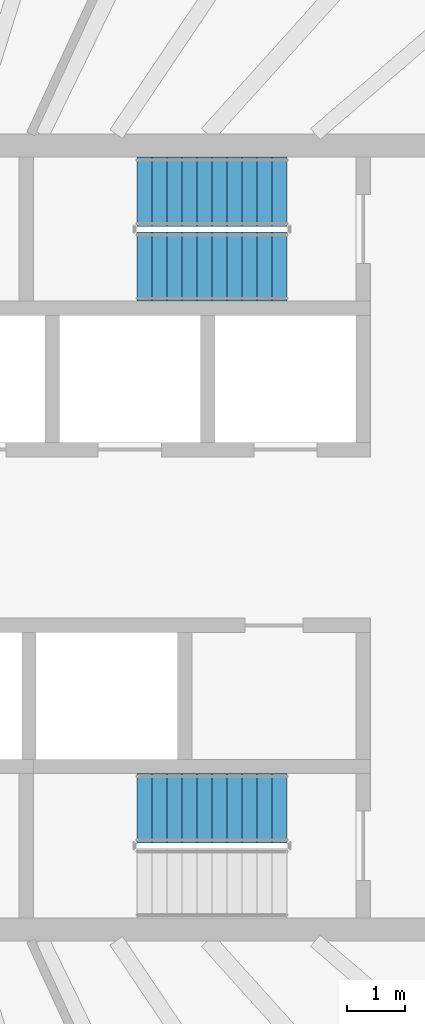
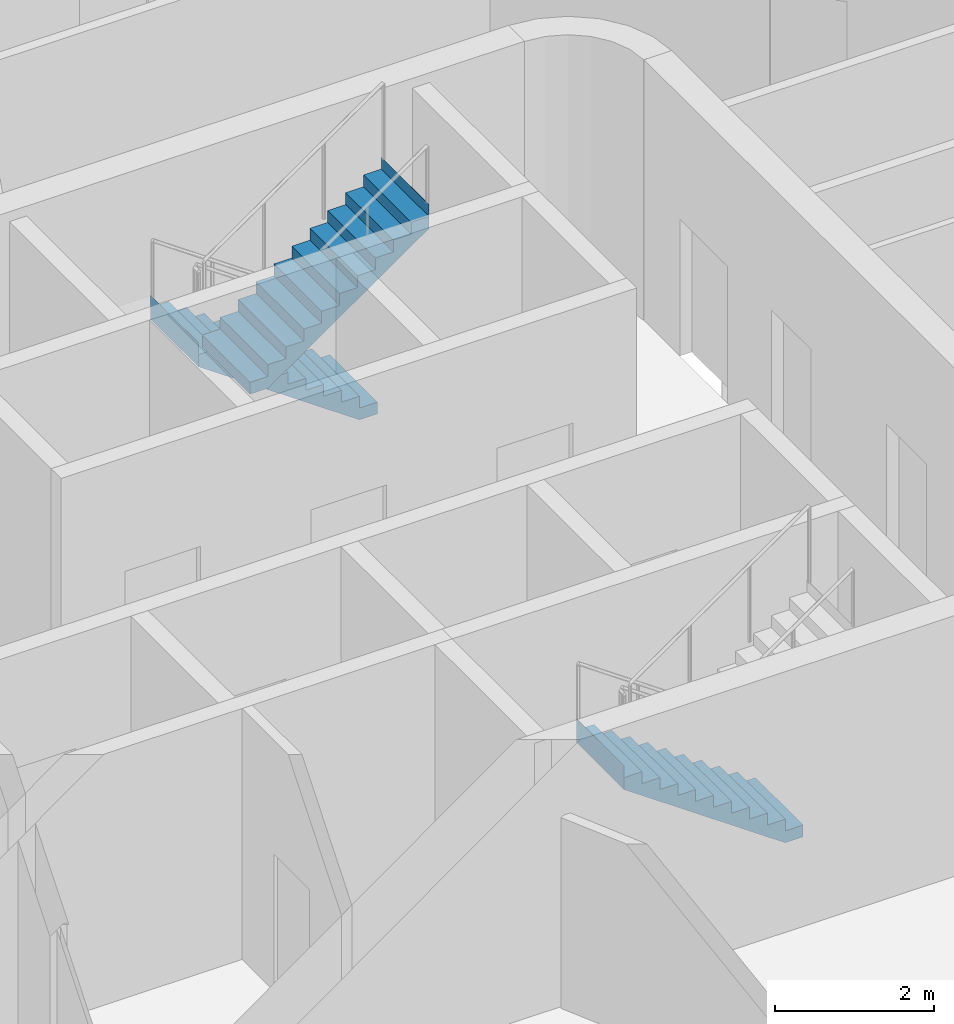
# One storey, part 13 of 18: 3 stair flights, 2 elements without a shape of their own.
"""IFC4 building model written with IfcOpenShell, lengths in metres."""

from ifc_helpers import new_model, si_unit, direction, frame, origin, place, context, subcontext, project, spatial, triangles, material, type_object, element, aggregate, save


model = new_model("IFC4")

# Units and contexts
model_context = context("Model", 3, precision=1e-05, world=origin(), true_north=direction((0.0, 1.0)))
body_context = subcontext(model_context, "Body", "Model", "MODEL_VIEW")
ifc_project = project(units=[si_unit("LENGTHUNIT", "METRE"), si_unit("AREAUNIT", "SQUARE_METRE"), si_unit("VOLUMEUNIT", "CUBIC_METRE"), si_unit("PLANEANGLEUNIT", "RADIAN"), si_unit("MASSUNIT", "GRAM", prefix="KILO")], contexts=[model_context])

# Site, building, storey
site_placement = place(None, origin())
site = spatial("IfcSite", under=ifc_project, at=site_placement, CompositionType="ELEMENT")
building_placement = place(site_placement, origin())
building = spatial("IfcBuilding", under=site, at=building_placement, Name="Sahrelin Media Tower", CompositionType="ELEMENT")
storey_placement = place(building_placement, frame((0.0, 0.0, 320.39990234375)))
storey = spatial("IfcBuildingStorey", under=building, at=storey_placement, Name="L71", CompositionType="ELEMENT", Elevation=320.39990234375)

# Stair, stair flights
ifc_material = material(Name="Concrete C40/50", Category="concrete")
stair_type = type_object("IfcStairType", Name="Exit stair 1200", PredefinedType="HALF_TURN_STAIR", material=ifc_material)
placement = place(storey_placement, origin())
stair_1 = element("IfcStair", 1, at=placement, inside=storey, type_object=stair_type, Name="L71 Exit stair ST3", PredefinedType="HALF_TURN_STAIR")
stair_flight_type = type_object("IfcStairFlightType", Name="Stair flight 1200", PredefinedType="STRAIGHT", material=ifc_material)
stair_flight_1_placement = place(storey_placement, frame((7.675048828125, 6.0, 0.0), z_axis=(0.0, 0.0, 1.0), x_axis=(-1.0, 0.0, 0.0)))
stair_flight_1 = element("IfcStairFlight", 2, at=stair_flight_1_placement, type_object=stair_flight_type, Name="ST3 flight 1", NumberOfRisers=11, NumberOfTreads=10, PredefinedType="STRAIGHT", RiserHeight=0.181818182, TreadLength=0.26, context=body_context, shape_type="Tessellation", body=[
    triangles([(0.261474609375, 0.60009765625, 0.0), (0.261474609375, 0.300048828125, 0.0), (0.261474609375, 0.0, 0.0), (0.261474609375, -0.300048828125, 0.0), (0.261474609375, -0.60009765625, 0.0), (2.60009765625, 0.60009765625, 1.63525390625), (2.60009765625, 0.300048828125, 1.63525390625), (2.60009765625, 0.0, 1.63525390625), (2.60009765625, -0.300048828125, 1.63525390625), (2.60009765625, -0.60009765625, 1.63525390625), (2.60009765625, 0.60009765625, 2.0), (2.60009765625, 0.300048828125, 2.0), (2.60009765625, 0.0, 2.0), (2.60009765625, -0.300048828125, 2.0), (2.60009765625, -0.60009765625, 2.0), (2.597900390625, 0.60009765625, 2.0), (2.597900390625, 0.300048828125, 2.0), (2.597900390625, 0.0, 2.0), (2.597900390625, -0.300048828125, 2.0), (2.597900390625, -0.60009765625, 2.0), (2.597900390625, 0.60009765625, 1.818115234375), (2.597900390625, 0.300048828125, 1.818115234375), (2.597900390625, 0.0, 1.818115234375), (2.597900390625, -0.300048828125, 1.818115234375), (2.597900390625, -0.60009765625, 1.818115234375), (2.340087890625, 0.60009765625, 1.818115234375), (2.340087890625, 0.300048828125, 1.818115234375), (2.340087890625, 0.0, 1.818115234375), (2.340087890625, -0.300048828125, 1.818115234375), (2.340087890625, -0.60009765625, 1.818115234375), (2.340087890625, 0.60009765625, 1.636474609375), (2.340087890625, 0.300048828125, 1.636474609375), (2.340087890625, 0.0, 1.636474609375), (2.340087890625, -0.300048828125, 1.636474609375), (2.340087890625, -0.60009765625, 1.636474609375), (2.080078125, 0.60009765625, 1.636474609375), (2.080078125, 0.300048828125, 1.636474609375), (2.080078125, 0.0, 1.636474609375), (2.080078125, -0.300048828125, 1.636474609375), (2.080078125, -0.60009765625, 1.636474609375), (2.080078125, 0.60009765625, 1.45458984375), (2.080078125, 0.300048828125, 1.45458984375), (2.080078125, 0.0, 1.45458984375), (2.080078125, -0.300048828125, 1.45458984375), (2.080078125, -0.60009765625, 1.45458984375), (1.820068359375, 0.60009765625, 1.45458984375), (1.820068359375, 0.300048828125, 1.45458984375), (1.820068359375, 0.0, 1.45458984375), (1.820068359375, -0.300048828125, 1.45458984375), (1.820068359375, -0.60009765625, 1.45458984375), (1.820068359375, 0.60009765625, 1.272705078125), (1.820068359375, 0.300048828125, 1.272705078125), (1.820068359375, 0.0, 1.272705078125), (1.820068359375, -0.300048828125, 1.272705078125), (1.820068359375, -0.60009765625, 1.272705078125), (1.56005859375, 0.60009765625, 1.272705078125), (1.56005859375, 0.300048828125, 1.272705078125), (1.56005859375, 0.0, 1.272705078125), (1.56005859375, -0.300048828125, 1.272705078125), (1.56005859375, -0.60009765625, 1.272705078125), (1.56005859375, 0.60009765625, 1.0908203125), (1.56005859375, 0.300048828125, 1.0908203125), (1.56005859375, 0.0, 1.0908203125), (1.56005859375, -0.300048828125, 1.0908203125), (1.56005859375, -0.60009765625, 1.0908203125), (1.300048828125, 0.60009765625, 1.0908203125), (1.300048828125, 0.300048828125, 1.0908203125), (1.300048828125, 0.0, 1.0908203125), (1.300048828125, -0.300048828125, 1.0908203125), (1.300048828125, -0.60009765625, 1.0908203125), (1.300048828125, 0.60009765625, 0.9091796875), (1.300048828125, 0.300048828125, 0.9091796875), (1.300048828125, 0.0, 0.9091796875), (1.300048828125, -0.300048828125, 0.9091796875), (1.300048828125, -0.60009765625, 0.9091796875), (1.0400390625, 0.60009765625, 0.9091796875), (1.0400390625, 0.300048828125, 0.9091796875), (1.0400390625, 0.0, 0.9091796875), (1.0400390625, -0.300048828125, 0.9091796875), (1.0400390625, -0.60009765625, 0.9091796875), (1.0400390625, 0.60009765625, 0.727294921875), (1.0400390625, 0.300048828125, 0.727294921875), (1.0400390625, 0.0, 0.727294921875), (1.0400390625, -0.300048828125, 0.727294921875), (1.0400390625, -0.60009765625, 0.727294921875), (0.780029296875, 0.60009765625, 0.727294921875), (0.780029296875, 0.300048828125, 0.727294921875), (0.780029296875, 0.0, 0.727294921875), (0.780029296875, -0.300048828125, 0.727294921875), (0.780029296875, -0.60009765625, 0.727294921875), (0.780029296875, 0.60009765625, 0.54541015625), (0.780029296875, 0.300048828125, 0.54541015625), (0.780029296875, 0.0, 0.54541015625), (0.780029296875, -0.300048828125, 0.54541015625), (0.780029296875, -0.60009765625, 0.54541015625), (0.52001953125, 0.60009765625, 0.54541015625), (0.52001953125, 0.300048828125, 0.54541015625), (0.52001953125, 0.0, 0.54541015625), (0.52001953125, -0.300048828125, 0.54541015625), (0.52001953125, -0.60009765625, 0.54541015625), (0.52001953125, 0.60009765625, 0.363525390625), (0.52001953125, 0.300048828125, 0.363525390625), (0.52001953125, 0.0, 0.363525390625), (0.52001953125, -0.300048828125, 0.363525390625), (0.52001953125, -0.60009765625, 0.363525390625), (0.260009765625, 0.60009765625, 0.363525390625), (0.260009765625, 0.300048828125, 0.363525390625), (0.260009765625, 0.0, 0.363525390625), (0.260009765625, -0.300048828125, 0.363525390625), (0.260009765625, -0.60009765625, 0.363525390625), (0.260009765625, 0.60009765625, 0.181884765625), (0.260009765625, 0.300048828125, 0.181884765625), (0.260009765625, 0.0, 0.181884765625), (0.260009765625, -0.300048828125, 0.181884765625), (0.260009765625, -0.60009765625, 0.181884765625), (0.0, 0.60009765625, 0.181884765625), (0.0, 0.300048828125, 0.181884765625), (0.0, 0.0, 0.181884765625), (0.0, -0.300048828125, 0.181884765625), (0.0, -0.60009765625, 0.181884765625), (0.0, 0.60009765625, 0.0), (0.0, 0.300048828125, 0.0), (0.0, 0.0, 0.0), (0.0, -0.300048828125, 0.0), (0.0, -0.60009765625, 0.0)], [[1, 6, 7], [1, 7, 2], [2, 7, 8], [2, 8, 3], [3, 8, 9], [3, 9, 4], [4, 9, 10], [4, 10, 5], [6, 11, 12], [6, 12, 7], [7, 12, 13], [7, 13, 8], [8, 13, 14], [8, 14, 9], [9, 14, 15], [9, 15, 10], [11, 16, 17], [11, 17, 12], [12, 17, 18], [12, 18, 13], [13, 18, 19], [13, 19, 14], [14, 19, 20], [14, 20, 15], [16, 21, 22], [16, 22, 17], [17, 22, 23], [17, 23, 18], [18, 23, 24], [18, 24, 19], [19, 24, 25], [19, 25, 20], [21, 26, 27], [21, 27, 22], [22, 27, 28], [22, 28, 23], [23, 28, 29], [23, 29, 24], [24, 29, 30], [24, 30, 25], [26, 31, 32], [26, 32, 27], [27, 32, 33], [27, 33, 28], [28, 33, 34], [28, 34, 29], [29, 34, 35], [29, 35, 30], [31, 36, 37], [31, 37, 32], [32, 37, 38], [32, 38, 33], [33, 38, 39], [33, 39, 34], [34, 39, 40], [34, 40, 35], [36, 41, 42], [36, 42, 37], [37, 42, 43], [37, 43, 38], [38, 43, 44], [38, 44, 39], [39, 44, 45], [39, 45, 40], [41, 46, 47], [41, 47, 42], [42, 47, 48], [42, 48, 43], [43, 48, 49], [43, 49, 44], [44, 49, 50], [44, 50, 45], [46, 51, 52], [46, 52, 47], [47, 52, 53], [47, 53, 48], [48, 53, 54], [48, 54, 49], [49, 54, 55], [49, 55, 50], [51, 56, 57], [51, 57, 52], [52, 57, 58], [52, 58, 53], [53, 58, 59], [53, 59, 54], [54, 59, 60], [54, 60, 55], [56, 61, 62], [56, 62, 57], [57, 62, 63], [57, 63, 58], [58, 63, 64], [58, 64, 59], [59, 64, 65], [59, 65, 60], [61, 66, 67], [61, 67, 62], [62, 67, 68], [62, 68, 63], [63, 68, 69], [63, 69, 64], [64, 69, 70], [64, 70, 65], [66, 71, 72], [66, 72, 67], [67, 72, 73], [67, 73, 68], [68, 73, 74], [68, 74, 69], [69, 74, 75], [69, 75, 70], [71, 76, 77], [71, 77, 72], [72, 77, 78], [72, 78, 73], [73, 78, 79], [73, 79, 74], [74, 79, 80], [74, 80, 75], [76, 81, 82], [76, 82, 77], [77, 82, 83], [77, 83, 78], [78, 83, 84], [78, 84, 79], [79, 84, 85], [79, 85, 80], [81, 86, 87], [81, 87, 82], [82, 87, 88], [82, 88, 83], [83, 88, 89], [83, 89, 84], [84, 89, 90], [84, 90, 85], [86, 91, 92], [86, 92, 87], [87, 92, 93], [87, 93, 88], [88, 93, 94], [88, 94, 89], [89, 94, 95], [89, 95, 90], [91, 96, 97], [91, 97, 92], [92, 97, 98], [92, 98, 93], [93, 98, 99], [93, 99, 94], [94, 99, 100], [94, 100, 95], [96, 101, 102], [96, 102, 97], [97, 102, 103], [97, 103, 98], [98, 103, 104], [98, 104, 99], [99, 104, 105], [99, 105, 100], [101, 106, 107], [101, 107, 102], [102, 107, 108], [102, 108, 103], [103, 108, 109], [103, 109, 104], [104, 109, 110], [104, 110, 105], [106, 111, 112], [106, 112, 107], [107, 112, 113], [107, 113, 108], [108, 113, 114], [108, 114, 109], [109, 114, 115], [109, 115, 110], [111, 116, 117], [111, 117, 112], [112, 117, 118], [112, 118, 113], [113, 118, 119], [113, 119, 114], [114, 119, 120], [114, 120, 115], [116, 121, 122], [116, 122, 117], [117, 122, 123], [117, 123, 118], [118, 123, 124], [118, 124, 119], [119, 124, 125], [119, 125, 120], [121, 1, 2], [121, 2, 122], [122, 2, 3], [122, 3, 123], [123, 3, 4], [123, 4, 124], [124, 4, 5], [124, 5, 125], [115, 120, 125], [111, 121, 116], [115, 105, 110], [111, 106, 101], [105, 95, 100], [101, 96, 91], [95, 85, 90], [91, 86, 81], [85, 75, 80], [81, 76, 71], [75, 65, 70], [71, 66, 61], [65, 55, 60], [61, 56, 51], [55, 45, 50], [51, 46, 41], [45, 35, 40], [41, 36, 31], [35, 25, 30], [31, 26, 21], [25, 15, 20], [21, 16, 11], [125, 5, 115], [121, 111, 1], [25, 10, 15], [21, 11, 6], [105, 115, 5], [101, 1, 111], [35, 10, 25], [31, 21, 6], [95, 105, 5], [91, 1, 101], [45, 10, 35], [41, 31, 6], [85, 95, 5], [81, 1, 91], [55, 10, 45], [51, 41, 6], [75, 85, 5], [71, 1, 81], [65, 10, 55], [61, 51, 6], [5, 10, 75], [1, 71, 6], [75, 10, 65], [71, 61, 6]], closed=True),
])
stair_flight_2_placement = place(storey_placement, frame((5.074951171875, 4.699951171875, 2.0), z_axis=(0.0, 0.0, 1.0), x_axis=(1.0, 0.0, 0.0)))
stair_flight_2 = element("IfcStairFlight", 3, at=stair_flight_2_placement, type_object=stair_flight_type, Name="ST3 flight 2", NumberOfRisers=11, NumberOfTreads=10, PredefinedType="STRAIGHT", RiserHeight=0.181818182, TreadLength=0.26, context=body_context, shape_type="Tessellation", body=[
    triangles([(0.261474609375, 0.60009765625, 0.0), (0.261474609375, 0.300048828125, 0.0), (0.261474609375, 0.0, 0.0), (0.261474609375, -0.300048828125, 0.0), (0.261474609375, -0.60009765625, 0.0), (2.60009765625, 0.60009765625, 1.63525390625), (2.60009765625, 0.300048828125, 1.63525390625), (2.60009765625, 0.0, 1.63525390625), (2.60009765625, -0.300048828125, 1.63525390625), (2.60009765625, -0.60009765625, 1.63525390625), (2.60009765625, 0.60009765625, 2.0), (2.60009765625, 0.300048828125, 2.0), (2.60009765625, 0.0, 2.0), (2.60009765625, -0.300048828125, 2.0), (2.60009765625, -0.60009765625, 2.0), (2.597900390625, 0.60009765625, 2.0), (2.597900390625, 0.300048828125, 2.0), (2.597900390625, 0.0, 2.0), (2.597900390625, -0.300048828125, 2.0), (2.597900390625, -0.60009765625, 2.0), (2.597900390625, 0.60009765625, 1.818115234375), (2.597900390625, 0.300048828125, 1.818115234375), (2.597900390625, 0.0, 1.818115234375), (2.597900390625, -0.300048828125, 1.818115234375), (2.597900390625, -0.60009765625, 1.818115234375), (2.340087890625, 0.60009765625, 1.818115234375), (2.340087890625, 0.300048828125, 1.818115234375), (2.340087890625, 0.0, 1.818115234375), (2.340087890625, -0.300048828125, 1.818115234375), (2.340087890625, -0.60009765625, 1.818115234375), (2.340087890625, 0.60009765625, 1.636474609375), (2.340087890625, 0.300048828125, 1.636474609375), (2.340087890625, 0.0, 1.636474609375), (2.340087890625, -0.300048828125, 1.636474609375), (2.340087890625, -0.60009765625, 1.636474609375), (2.080078125, 0.60009765625, 1.636474609375), (2.080078125, 0.300048828125, 1.636474609375), (2.080078125, 0.0, 1.636474609375), (2.080078125, -0.300048828125, 1.636474609375), (2.080078125, -0.60009765625, 1.636474609375), (2.080078125, 0.60009765625, 1.45458984375), (2.080078125, 0.300048828125, 1.45458984375), (2.080078125, 0.0, 1.45458984375), (2.080078125, -0.300048828125, 1.45458984375), (2.080078125, -0.60009765625, 1.45458984375), (1.820068359375, 0.60009765625, 1.45458984375), (1.820068359375, 0.300048828125, 1.45458984375), (1.820068359375, 0.0, 1.45458984375), (1.820068359375, -0.300048828125, 1.45458984375), (1.820068359375, -0.60009765625, 1.45458984375), (1.820068359375, 0.60009765625, 1.272705078125), (1.820068359375, 0.300048828125, 1.272705078125), (1.820068359375, 0.0, 1.272705078125), (1.820068359375, -0.300048828125, 1.272705078125), (1.820068359375, -0.60009765625, 1.272705078125), (1.56005859375, 0.60009765625, 1.272705078125), (1.56005859375, 0.300048828125, 1.272705078125), (1.56005859375, 0.0, 1.272705078125), (1.56005859375, -0.300048828125, 1.272705078125), (1.56005859375, -0.60009765625, 1.272705078125), (1.56005859375, 0.60009765625, 1.0908203125), (1.56005859375, 0.300048828125, 1.0908203125), (1.56005859375, 0.0, 1.0908203125), (1.56005859375, -0.300048828125, 1.0908203125), (1.56005859375, -0.60009765625, 1.0908203125), (1.300048828125, 0.60009765625, 1.0908203125), (1.300048828125, 0.300048828125, 1.0908203125), (1.300048828125, 0.0, 1.0908203125), (1.300048828125, -0.300048828125, 1.0908203125), (1.300048828125, -0.60009765625, 1.0908203125), (1.300048828125, 0.60009765625, 0.9091796875), (1.300048828125, 0.300048828125, 0.9091796875), (1.300048828125, 0.0, 0.9091796875), (1.300048828125, -0.300048828125, 0.9091796875), (1.300048828125, -0.60009765625, 0.9091796875), (1.0400390625, 0.60009765625, 0.9091796875), (1.0400390625, 0.300048828125, 0.9091796875), (1.0400390625, 0.0, 0.9091796875), (1.0400390625, -0.300048828125, 0.9091796875), (1.0400390625, -0.60009765625, 0.9091796875), (1.0400390625, 0.60009765625, 0.727294921875), (1.0400390625, 0.300048828125, 0.727294921875), (1.0400390625, 0.0, 0.727294921875), (1.0400390625, -0.300048828125, 0.727294921875), (1.0400390625, -0.60009765625, 0.727294921875), (0.780029296875, 0.60009765625, 0.727294921875), (0.780029296875, 0.300048828125, 0.727294921875), (0.780029296875, 0.0, 0.727294921875), (0.780029296875, -0.300048828125, 0.727294921875), (0.780029296875, -0.60009765625, 0.727294921875), (0.780029296875, 0.60009765625, 0.54541015625), (0.780029296875, 0.300048828125, 0.54541015625), (0.780029296875, 0.0, 0.54541015625), (0.780029296875, -0.300048828125, 0.54541015625), (0.780029296875, -0.60009765625, 0.54541015625), (0.52001953125, 0.60009765625, 0.54541015625), (0.52001953125, 0.300048828125, 0.54541015625), (0.52001953125, 0.0, 0.54541015625), (0.52001953125, -0.300048828125, 0.54541015625), (0.52001953125, -0.60009765625, 0.54541015625), (0.52001953125, 0.60009765625, 0.363525390625), (0.52001953125, 0.300048828125, 0.363525390625), (0.52001953125, 0.0, 0.363525390625), (0.52001953125, -0.300048828125, 0.363525390625), (0.52001953125, -0.60009765625, 0.363525390625), (0.260009765625, 0.60009765625, 0.363525390625), (0.260009765625, 0.300048828125, 0.363525390625), (0.260009765625, 0.0, 0.363525390625), (0.260009765625, -0.300048828125, 0.363525390625), (0.260009765625, -0.60009765625, 0.363525390625), (0.260009765625, 0.60009765625, 0.181884765625), (0.260009765625, 0.300048828125, 0.181884765625), (0.260009765625, 0.0, 0.181884765625), (0.260009765625, -0.300048828125, 0.181884765625), (0.260009765625, -0.60009765625, 0.181884765625), (0.0, 0.60009765625, 0.181884765625), (0.0, 0.300048828125, 0.181884765625), (0.0, 0.0, 0.181884765625), (0.0, -0.300048828125, 0.181884765625), (0.0, -0.60009765625, 0.181884765625), (0.0, 0.60009765625, 0.0), (0.0, 0.300048828125, 0.0), (0.0, 0.0, 0.0), (0.0, -0.300048828125, 0.0), (0.0, -0.60009765625, 0.0)], [[1, 6, 7], [1, 7, 2], [2, 7, 8], [2, 8, 3], [3, 8, 9], [3, 9, 4], [4, 9, 10], [4, 10, 5], [6, 11, 12], [6, 12, 7], [7, 12, 13], [7, 13, 8], [8, 13, 14], [8, 14, 9], [9, 14, 15], [9, 15, 10], [11, 16, 17], [11, 17, 12], [12, 17, 18], [12, 18, 13], [13, 18, 19], [13, 19, 14], [14, 19, 20], [14, 20, 15], [16, 21, 22], [16, 22, 17], [17, 22, 23], [17, 23, 18], [18, 23, 24], [18, 24, 19], [19, 24, 25], [19, 25, 20], [21, 26, 27], [21, 27, 22], [22, 27, 28], [22, 28, 23], [23, 28, 29], [23, 29, 24], [24, 29, 30], [24, 30, 25], [26, 31, 32], [26, 32, 27], [27, 32, 33], [27, 33, 28], [28, 33, 34], [28, 34, 29], [29, 34, 35], [29, 35, 30], [31, 36, 37], [31, 37, 32], [32, 37, 38], [32, 38, 33], [33, 38, 39], [33, 39, 34], [34, 39, 40], [34, 40, 35], [36, 41, 42], [36, 42, 37], [37, 42, 43], [37, 43, 38], [38, 43, 44], [38, 44, 39], [39, 44, 45], [39, 45, 40], [41, 46, 47], [41, 47, 42], [42, 47, 48], [42, 48, 43], [43, 48, 49], [43, 49, 44], [44, 49, 50], [44, 50, 45], [46, 51, 52], [46, 52, 47], [47, 52, 53], [47, 53, 48], [48, 53, 54], [48, 54, 49], [49, 54, 55], [49, 55, 50], [51, 56, 57], [51, 57, 52], [52, 57, 58], [52, 58, 53], [53, 58, 59], [53, 59, 54], [54, 59, 60], [54, 60, 55], [56, 61, 62], [56, 62, 57], [57, 62, 63], [57, 63, 58], [58, 63, 64], [58, 64, 59], [59, 64, 65], [59, 65, 60], [61, 66, 67], [61, 67, 62], [62, 67, 68], [62, 68, 63], [63, 68, 69], [63, 69, 64], [64, 69, 70], [64, 70, 65], [66, 71, 72], [66, 72, 67], [67, 72, 73], [67, 73, 68], [68, 73, 74], [68, 74, 69], [69, 74, 75], [69, 75, 70], [71, 76, 77], [71, 77, 72], [72, 77, 78], [72, 78, 73], [73, 78, 79], [73, 79, 74], [74, 79, 80], [74, 80, 75], [76, 81, 82], [76, 82, 77], [77, 82, 83], [77, 83, 78], [78, 83, 84], [78, 84, 79], [79, 84, 85], [79, 85, 80], [81, 86, 87], [81, 87, 82], [82, 87, 88], [82, 88, 83], [83, 88, 89], [83, 89, 84], [84, 89, 90], [84, 90, 85], [86, 91, 92], [86, 92, 87], [87, 92, 93], [87, 93, 88], [88, 93, 94], [88, 94, 89], [89, 94, 95], [89, 95, 90], [91, 96, 97], [91, 97, 92], [92, 97, 98], [92, 98, 93], [93, 98, 99], [93, 99, 94], [94, 99, 100], [94, 100, 95], [96, 101, 102], [96, 102, 97], [97, 102, 103], [97, 103, 98], [98, 103, 104], [98, 104, 99], [99, 104, 105], [99, 105, 100], [101, 106, 107], [101, 107, 102], [102, 107, 108], [102, 108, 103], [103, 108, 109], [103, 109, 104], [104, 109, 110], [104, 110, 105], [106, 111, 112], [106, 112, 107], [107, 112, 113], [107, 113, 108], [108, 113, 114], [108, 114, 109], [109, 114, 115], [109, 115, 110], [111, 116, 117], [111, 117, 112], [112, 117, 118], [112, 118, 113], [113, 118, 119], [113, 119, 114], [114, 119, 120], [114, 120, 115], [116, 121, 122], [116, 122, 117], [117, 122, 123], [117, 123, 118], [118, 123, 124], [118, 124, 119], [119, 124, 125], [119, 125, 120], [121, 1, 2], [121, 2, 122], [122, 2, 3], [122, 3, 123], [123, 3, 4], [123, 4, 124], [124, 4, 5], [124, 5, 125], [115, 120, 125], [111, 121, 116], [115, 105, 110], [111, 106, 101], [105, 95, 100], [101, 96, 91], [95, 85, 90], [91, 86, 81], [85, 75, 80], [81, 76, 71], [75, 65, 70], [71, 66, 61], [65, 55, 60], [61, 56, 51], [55, 45, 50], [51, 46, 41], [45, 35, 40], [41, 36, 31], [35, 25, 30], [31, 26, 21], [25, 15, 20], [21, 16, 11], [125, 5, 115], [121, 111, 1], [25, 10, 15], [21, 11, 6], [105, 115, 5], [101, 1, 111], [35, 10, 25], [31, 21, 6], [95, 105, 5], [91, 1, 101], [45, 10, 35], [41, 31, 6], [85, 95, 5], [81, 1, 91], [55, 10, 45], [51, 41, 6], [75, 85, 5], [71, 1, 81], [65, 10, 55], [61, 51, 6], [5, 10, 75], [1, 71, 6], [75, 10, 65], [71, 61, 6]], closed=True),
])
aggregate(stair_1, [stair_flight_1, stair_flight_2])

# Stair, stair flight
stair_2 = element("IfcStair", 4, at=placement, inside=storey, type_object=stair_type, Name="L71 Exit stair ST2", PredefinedType="HALF_TURN_STAIR")
stair_flight_3_placement = place(storey_placement, frame((7.675048828125, -4.699951171875, 0.0), z_axis=(0.0, 0.0, 1.0), x_axis=(-1.0, 0.0, 0.0)))
stair_flight_3 = element("IfcStairFlight", 5, at=stair_flight_3_placement, type_object=stair_flight_type, Name="ST2 flight 1", NumberOfRisers=11, NumberOfTreads=10, PredefinedType="STRAIGHT", RiserHeight=0.181818182, TreadLength=0.26, context=body_context, shape_type="Tessellation", body=[
    triangles([(0.261474609375, 0.60009765625, 0.0), (0.261474609375, 0.300048828125, 0.0), (0.261474609375, 0.0, 0.0), (0.261474609375, -0.300048828125, 0.0), (0.261474609375, -0.60009765625, 0.0), (2.60009765625, 0.60009765625, 1.63525390625), (2.60009765625, 0.300048828125, 1.63525390625), (2.60009765625, 0.0, 1.63525390625), (2.60009765625, -0.300048828125, 1.63525390625), (2.60009765625, -0.60009765625, 1.63525390625), (2.60009765625, 0.60009765625, 2.0), (2.60009765625, 0.300048828125, 2.0), (2.60009765625, 0.0, 2.0), (2.60009765625, -0.300048828125, 2.0), (2.60009765625, -0.60009765625, 2.0), (2.597900390625, 0.60009765625, 2.0), (2.597900390625, 0.300048828125, 2.0), (2.597900390625, 0.0, 2.0), (2.597900390625, -0.300048828125, 2.0), (2.597900390625, -0.60009765625, 2.0), (2.597900390625, 0.60009765625, 1.818115234375), (2.597900390625, 0.300048828125, 1.818115234375), (2.597900390625, 0.0, 1.818115234375), (2.597900390625, -0.300048828125, 1.818115234375), (2.597900390625, -0.60009765625, 1.818115234375), (2.340087890625, 0.60009765625, 1.818115234375), (2.340087890625, 0.300048828125, 1.818115234375), (2.340087890625, 0.0, 1.818115234375), (2.340087890625, -0.300048828125, 1.818115234375), (2.340087890625, -0.60009765625, 1.818115234375), (2.340087890625, 0.60009765625, 1.636474609375), (2.340087890625, 0.300048828125, 1.636474609375), (2.340087890625, 0.0, 1.636474609375), (2.340087890625, -0.300048828125, 1.636474609375), (2.340087890625, -0.60009765625, 1.636474609375), (2.080078125, 0.60009765625, 1.636474609375), (2.080078125, 0.300048828125, 1.636474609375), (2.080078125, 0.0, 1.636474609375), (2.080078125, -0.300048828125, 1.636474609375), (2.080078125, -0.60009765625, 1.636474609375), (2.080078125, 0.60009765625, 1.45458984375), (2.080078125, 0.300048828125, 1.45458984375), (2.080078125, 0.0, 1.45458984375), (2.080078125, -0.300048828125, 1.45458984375), (2.080078125, -0.60009765625, 1.45458984375), (1.820068359375, 0.60009765625, 1.45458984375), (1.820068359375, 0.300048828125, 1.45458984375), (1.820068359375, 0.0, 1.45458984375), (1.820068359375, -0.300048828125, 1.45458984375), (1.820068359375, -0.60009765625, 1.45458984375), (1.820068359375, 0.60009765625, 1.272705078125), (1.820068359375, 0.300048828125, 1.272705078125), (1.820068359375, 0.0, 1.272705078125), (1.820068359375, -0.300048828125, 1.272705078125), (1.820068359375, -0.60009765625, 1.272705078125), (1.56005859375, 0.60009765625, 1.272705078125), (1.56005859375, 0.300048828125, 1.272705078125), (1.56005859375, 0.0, 1.272705078125), (1.56005859375, -0.300048828125, 1.272705078125), (1.56005859375, -0.60009765625, 1.272705078125), (1.56005859375, 0.60009765625, 1.0908203125), (1.56005859375, 0.300048828125, 1.0908203125), (1.56005859375, 0.0, 1.0908203125), (1.56005859375, -0.300048828125, 1.0908203125), (1.56005859375, -0.60009765625, 1.0908203125), (1.300048828125, 0.60009765625, 1.0908203125), (1.300048828125, 0.300048828125, 1.0908203125), (1.300048828125, 0.0, 1.0908203125), (1.300048828125, -0.300048828125, 1.0908203125), (1.300048828125, -0.60009765625, 1.0908203125), (1.300048828125, 0.60009765625, 0.9091796875), (1.300048828125, 0.300048828125, 0.9091796875), (1.300048828125, 0.0, 0.9091796875), (1.300048828125, -0.300048828125, 0.9091796875), (1.300048828125, -0.60009765625, 0.9091796875), (1.0400390625, 0.60009765625, 0.9091796875), (1.0400390625, 0.300048828125, 0.9091796875), (1.0400390625, 0.0, 0.9091796875), (1.0400390625, -0.300048828125, 0.9091796875), (1.0400390625, -0.60009765625, 0.9091796875), (1.0400390625, 0.60009765625, 0.727294921875), (1.0400390625, 0.300048828125, 0.727294921875), (1.0400390625, 0.0, 0.727294921875), (1.0400390625, -0.300048828125, 0.727294921875), (1.0400390625, -0.60009765625, 0.727294921875), (0.780029296875, 0.60009765625, 0.727294921875), (0.780029296875, 0.300048828125, 0.727294921875), (0.780029296875, 0.0, 0.727294921875), (0.780029296875, -0.300048828125, 0.727294921875), (0.780029296875, -0.60009765625, 0.727294921875), (0.780029296875, 0.60009765625, 0.54541015625), (0.780029296875, 0.300048828125, 0.54541015625), (0.780029296875, 0.0, 0.54541015625), (0.780029296875, -0.300048828125, 0.54541015625), (0.780029296875, -0.60009765625, 0.54541015625), (0.52001953125, 0.60009765625, 0.54541015625), (0.52001953125, 0.300048828125, 0.54541015625), (0.52001953125, 0.0, 0.54541015625), (0.52001953125, -0.300048828125, 0.54541015625), (0.52001953125, -0.60009765625, 0.54541015625), (0.52001953125, 0.60009765625, 0.363525390625), (0.52001953125, 0.300048828125, 0.363525390625), (0.52001953125, 0.0, 0.363525390625), (0.52001953125, -0.300048828125, 0.363525390625), (0.52001953125, -0.60009765625, 0.363525390625), (0.260009765625, 0.60009765625, 0.363525390625), (0.260009765625, 0.300048828125, 0.363525390625), (0.260009765625, 0.0, 0.363525390625), (0.260009765625, -0.300048828125, 0.363525390625), (0.260009765625, -0.60009765625, 0.363525390625), (0.260009765625, 0.60009765625, 0.181884765625), (0.260009765625, 0.300048828125, 0.181884765625), (0.260009765625, 0.0, 0.181884765625), (0.260009765625, -0.300048828125, 0.181884765625), (0.260009765625, -0.60009765625, 0.181884765625), (0.0, 0.60009765625, 0.181884765625), (0.0, 0.300048828125, 0.181884765625), (0.0, 0.0, 0.181884765625), (0.0, -0.300048828125, 0.181884765625), (0.0, -0.60009765625, 0.181884765625), (0.0, 0.60009765625, 0.0), (0.0, 0.300048828125, 0.0), (0.0, 0.0, 0.0), (0.0, -0.300048828125, 0.0), (0.0, -0.60009765625, 0.0)], [[1, 6, 7], [1, 7, 2], [2, 7, 8], [2, 8, 3], [3, 8, 9], [3, 9, 4], [4, 9, 10], [4, 10, 5], [6, 11, 12], [6, 12, 7], [7, 12, 13], [7, 13, 8], [8, 13, 14], [8, 14, 9], [9, 14, 15], [9, 15, 10], [11, 16, 17], [11, 17, 12], [12, 17, 18], [12, 18, 13], [13, 18, 19], [13, 19, 14], [14, 19, 20], [14, 20, 15], [16, 21, 22], [16, 22, 17], [17, 22, 23], [17, 23, 18], [18, 23, 24], [18, 24, 19], [19, 24, 25], [19, 25, 20], [21, 26, 27], [21, 27, 22], [22, 27, 28], [22, 28, 23], [23, 28, 29], [23, 29, 24], [24, 29, 30], [24, 30, 25], [26, 31, 32], [26, 32, 27], [27, 32, 33], [27, 33, 28], [28, 33, 34], [28, 34, 29], [29, 34, 35], [29, 35, 30], [31, 36, 37], [31, 37, 32], [32, 37, 38], [32, 38, 33], [33, 38, 39], [33, 39, 34], [34, 39, 40], [34, 40, 35], [36, 41, 42], [36, 42, 37], [37, 42, 43], [37, 43, 38], [38, 43, 44], [38, 44, 39], [39, 44, 45], [39, 45, 40], [41, 46, 47], [41, 47, 42], [42, 47, 48], [42, 48, 43], [43, 48, 49], [43, 49, 44], [44, 49, 50], [44, 50, 45], [46, 51, 52], [46, 52, 47], [47, 52, 53], [47, 53, 48], [48, 53, 54], [48, 54, 49], [49, 54, 55], [49, 55, 50], [51, 56, 57], [51, 57, 52], [52, 57, 58], [52, 58, 53], [53, 58, 59], [53, 59, 54], [54, 59, 60], [54, 60, 55], [56, 61, 62], [56, 62, 57], [57, 62, 63], [57, 63, 58], [58, 63, 64], [58, 64, 59], [59, 64, 65], [59, 65, 60], [61, 66, 67], [61, 67, 62], [62, 67, 68], [62, 68, 63], [63, 68, 69], [63, 69, 64], [64, 69, 70], [64, 70, 65], [66, 71, 72], [66, 72, 67], [67, 72, 73], [67, 73, 68], [68, 73, 74], [68, 74, 69], [69, 74, 75], [69, 75, 70], [71, 76, 77], [71, 77, 72], [72, 77, 78], [72, 78, 73], [73, 78, 79], [73, 79, 74], [74, 79, 80], [74, 80, 75], [76, 81, 82], [76, 82, 77], [77, 82, 83], [77, 83, 78], [78, 83, 84], [78, 84, 79], [79, 84, 85], [79, 85, 80], [81, 86, 87], [81, 87, 82], [82, 87, 88], [82, 88, 83], [83, 88, 89], [83, 89, 84], [84, 89, 90], [84, 90, 85], [86, 91, 92], [86, 92, 87], [87, 92, 93], [87, 93, 88], [88, 93, 94], [88, 94, 89], [89, 94, 95], [89, 95, 90], [91, 96, 97], [91, 97, 92], [92, 97, 98], [92, 98, 93], [93, 98, 99], [93, 99, 94], [94, 99, 100], [94, 100, 95], [96, 101, 102], [96, 102, 97], [97, 102, 103], [97, 103, 98], [98, 103, 104], [98, 104, 99], [99, 104, 105], [99, 105, 100], [101, 106, 107], [101, 107, 102], [102, 107, 108], [102, 108, 103], [103, 108, 109], [103, 109, 104], [104, 109, 110], [104, 110, 105], [106, 111, 112], [106, 112, 107], [107, 112, 113], [107, 113, 108], [108, 113, 114], [108, 114, 109], [109, 114, 115], [109, 115, 110], [111, 116, 117], [111, 117, 112], [112, 117, 118], [112, 118, 113], [113, 118, 119], [113, 119, 114], [114, 119, 120], [114, 120, 115], [116, 121, 122], [116, 122, 117], [117, 122, 123], [117, 123, 118], [118, 123, 124], [118, 124, 119], [119, 124, 125], [119, 125, 120], [121, 1, 2], [121, 2, 122], [122, 2, 3], [122, 3, 123], [123, 3, 4], [123, 4, 124], [124, 4, 5], [124, 5, 125], [115, 120, 125], [111, 121, 116], [115, 105, 110], [111, 106, 101], [105, 95, 100], [101, 96, 91], [95, 85, 90], [91, 86, 81], [85, 75, 80], [81, 76, 71], [75, 65, 70], [71, 66, 61], [65, 55, 60], [61, 56, 51], [55, 45, 50], [51, 46, 41], [45, 35, 40], [41, 36, 31], [35, 25, 30], [31, 26, 21], [25, 15, 20], [21, 16, 11], [125, 5, 115], [121, 111, 1], [25, 10, 15], [21, 11, 6], [105, 115, 5], [101, 1, 111], [35, 10, 25], [31, 21, 6], [95, 105, 5], [91, 1, 101], [45, 10, 35], [41, 31, 6], [85, 95, 5], [81, 1, 91], [55, 10, 45], [51, 41, 6], [75, 85, 5], [71, 1, 81], [65, 10, 55], [61, 51, 6], [5, 10, 75], [1, 71, 6], [75, 10, 65], [71, 61, 6]], closed=True),
])
aggregate(stair_2, [stair_flight_3])

save(model, "model.ifc")
